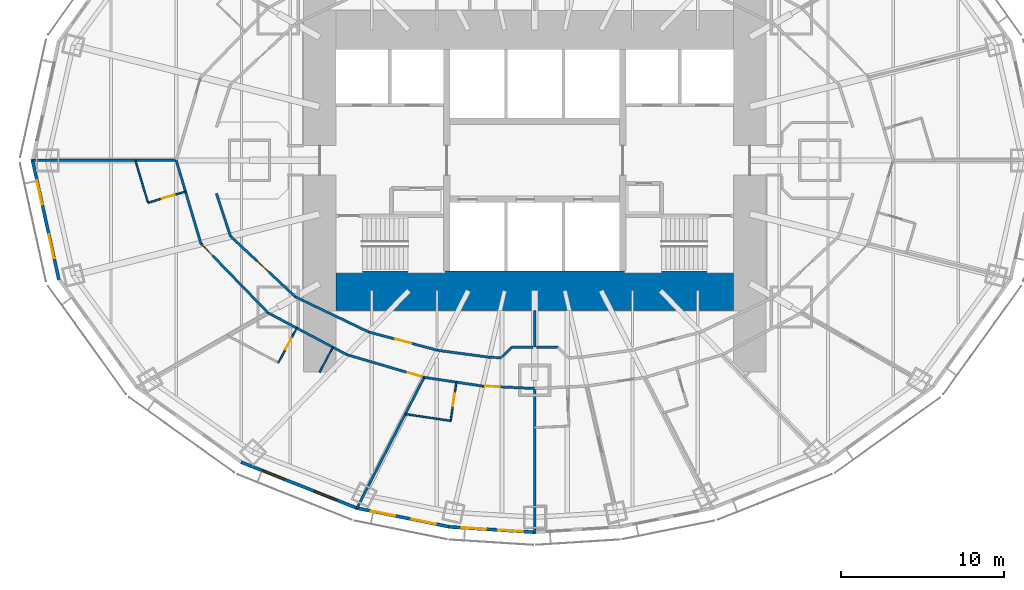
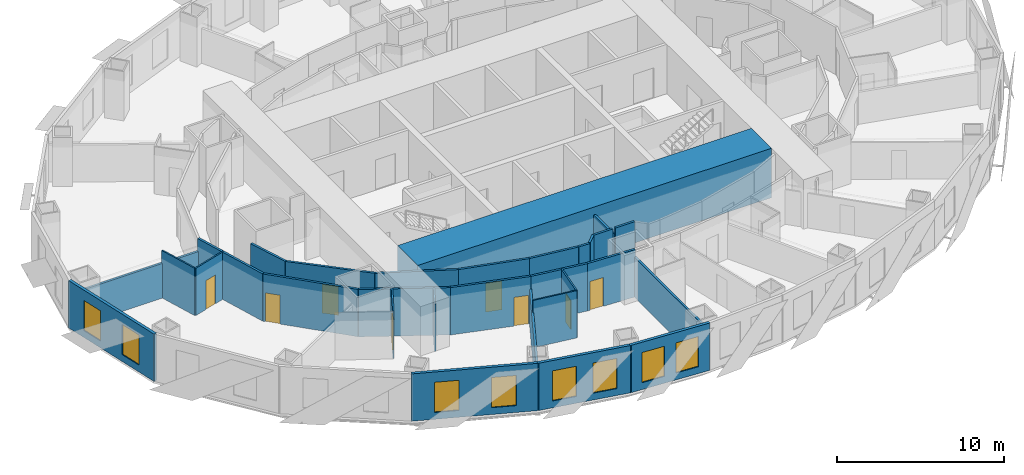
# One storey, part 5 of 15: 30 walls, 8 doors, 8 windows, 16 openings.
"""IFC4 building model written with IfcOpenShell, lengths in metres."""

from ifc_helpers import new_model, si_unit, direction, frame, frame_2d, origin, place, context, subcontext, project, spatial, rectangle, extrude, material, layer, layer_set, type_object, element, fill, save


model = new_model("IFC4")

# Units and contexts
model_context = context("Model", 3, precision=1e-05, world=origin(), true_north=direction((0.0, 1.0)))
body_context = subcontext(model_context, "Body", "Model", "MODEL_VIEW")
ifc_project = project(units=[si_unit("LENGTHUNIT", "METRE"), si_unit("AREAUNIT", "SQUARE_METRE"), si_unit("VOLUMEUNIT", "CUBIC_METRE"), si_unit("PLANEANGLEUNIT", "RADIAN"), si_unit("MASSUNIT", "GRAM", prefix="KILO")], contexts=[model_context])

# Site, building, storey
site_placement = place(None, origin())
site = spatial("IfcSite", under=ifc_project, at=site_placement, CompositionType="ELEMENT")
building_placement = place(site_placement, origin())
building = spatial("IfcBuilding", under=site, at=building_placement, Name="Lantaw Convention Tower", CompositionType="ELEMENT")
storey_placement = place(building_placement, frame((0.0, 0.0, 76.60009765625)))
storey = spatial("IfcBuildingStorey", under=building, at=storey_placement, Name="L17", CompositionType="ELEMENT", Elevation=76.60009765625)

# Wall
ifc_material_1 = material(Name="Gypsum board on steel studs", Category="steel")
ifc_layer_1 = layer(ifc_material_1, 0.14990234375)
ifc_layer_set_1 = layer_set([ifc_layer_1], Name="Back of house wall 150")
wall_type_1 = type_object("IfcWallType", Name="Back of house wall 150", PredefinedType="PARTITIONING", material=ifc_layer_set_1)
wall_1_placement = place(storey_placement, frame((0.0, -9.199951171875, 0.0), z_axis=(0.0, 0.0, 1.0), x_axis=(0.0, -1.0, 0.0)))
element("IfcWall", 1, at=wall_1_placement, inside=storey, type_object=wall_type_1, Name="Back of house wall 150", PredefinedType="PARTITIONING", context=body_context, shape_type="SweptSolid", body=[
    extrude(rectangle(XDim=2.26513671875, YDim=0.14990234375, at=frame_2d((1.132568359375, 0.0))), origin(), (0.0, 0.0, 1.0), 3.04345703125),
])

# Wall, opening, door
ifc_material_2 = material(Name="Moisture resistant gypsum board on steel studs", Category="steel")
ifc_layer_2 = layer(ifc_material_2, 0.10009765625)
ifc_layer_set_2 = layer_set([ifc_layer_2], Name="Bathroom wall 100")
wall_type_2 = type_object("IfcWallType", Name="Bathroom wall 100", PredefinedType="PARTITIONING", material=ifc_layer_set_2)
wall_2_placement = place(storey_placement, frame((-21.430908203125, -1.917236328125, 0.0), z_axis=(0.0, 0.0, 1.0), x_axis=(-0.958639927723, -0.284621659356, 0.0)))
wall_2 = element("IfcWall", 2, at=wall_2_placement, inside=storey, type_object=wall_type_2, Name="Bathroom wall 100", PredefinedType="PARTITIONING", context=body_context, shape_type="SweptSolid", body=[
    extrude(rectangle(XDim=2.400146484375, YDim=0.10009765625, at=frame_2d((1.2001953125, 0.0))), origin(), (0.0, 0.0, 1.0), 3.449951171875),
])
opening_1_placement = place(wall_2_placement, frame((0.699951171875, 0.0, 0.0)))
opening_1 = element("IfcOpeningElement", 3, at=opening_1_placement, cuts=wall_2, Name="Opening L17.41", PredefinedType="OPENING", context=body_context, shape_type="SweptSolid", body=[
    extrude(rectangle(XDim=0.800048828125, YDim=2.10009765625, at=frame_2d((0.39990234375, 1.050048828125))), frame((0.0, 0.06005859375, 0.0), z_axis=(0.0, -1.0, 0.0), x_axis=(1.0, 0.0, 0.0)), (0.0, 0.0, 1.0), 0.1201171875),
])
ifc_material_3 = material(Name="Timber", Category="wood")
door_type_1 = type_object("IfcDoorType", Name="Bathroom door 800", OperationType="SINGLE_SWING_LEFT", PredefinedType="DOOR", material=ifc_material_3)
door_1_placement = place(opening_1_placement, origin())
door_1 = element("IfcDoor", 4, at=door_1_placement, inside=storey, type_object=door_type_1, Name="Bathroom door", OperationType="SINGLE_SWING_LEFT", OverallHeight=2.10009765625, OverallWidth=0.800048828125, PredefinedType="DOOR", context=body_context, shape_type="SweptSolid", body=[
    extrude(rectangle(XDim=0.800048828125, YDim=2.10009765625, at=frame_2d((0.39990234375, 1.050048828125))), frame((0.0, 0.02490234375, 0.0), z_axis=(0.0, -1.0, 0.0), x_axis=(1.0, 0.0, 0.0)), (0.0, 0.0, 1.0), 0.050048828125),
])
fill(opening_1, door_1)

# Wall
wall_3_placement = place(storey_placement, frame((-23.731689453125, -2.600341796875, 0.0), z_axis=(0.0, 0.0, 1.0), x_axis=(-0.284514277473, 0.958671803025, 0.0)))
element("IfcWall", 5, at=wall_3_placement, inside=storey, type_object=wall_type_2, Name="Bathroom wall 100", PredefinedType="PARTITIONING", context=body_context, shape_type="SweptSolid", body=[
    extrude(rectangle(XDim=2.71240234375, YDim=0.10009765625, at=frame_2d((1.356201171875, 0.0))), origin(), (0.0, 0.0, 1.0), 3.449951171875),
])

# Wall, opening, door
wall_4_placement = place(storey_placement, frame((-14.602294921875, -10.291259765625, 0.0), z_axis=(0.0, 0.0, 1.0), x_axis=(-0.468770886208, -0.883319792739, 0.0)))
wall_4 = element("IfcWall", 6, at=wall_4_placement, inside=storey, type_object=wall_type_2, Name="Bathroom wall 100", PredefinedType="PARTITIONING", context=body_context, shape_type="SweptSolid", body=[
    extrude(rectangle(XDim=2.39990234375, YDim=0.10009765625, at=frame_2d((1.199951171875, 0.0))), origin(), (0.0, 0.0, 1.0), 3.449951171875),
])
opening_2_placement = place(wall_4_placement, frame((0.699951171875, 0.0, 0.0)))
opening_2 = element("IfcOpeningElement", 7, at=opening_2_placement, cuts=wall_4, Name="Opening L17.43", PredefinedType="OPENING", context=body_context, shape_type="SweptSolid", body=[
    extrude(rectangle(XDim=0.800048828125, YDim=2.10009765625, at=frame_2d((0.39990234375, 1.050048828125))), frame((0.0, 0.06005859375, 0.0), z_axis=(0.0, -1.0, 0.0), x_axis=(1.0, 0.0, 0.0)), (0.0, 0.0, 1.0), 0.1201171875),
])
door_2_placement = place(opening_2_placement, origin())
door_2 = element("IfcDoor", 8, at=door_2_placement, inside=storey, type_object=door_type_1, Name="Bathroom door", OperationType="SINGLE_SWING_LEFT", OverallHeight=2.10009765625, OverallWidth=0.800048828125, PredefinedType="DOOR", context=body_context, shape_type="SweptSolid", body=[
    extrude(rectangle(XDim=0.800048828125, YDim=2.10009765625, at=frame_2d((0.39990234375, 1.050048828125))), frame((0.0, 0.02490234375, 0.0), z_axis=(0.0, -1.0, 0.0), x_axis=(1.0, 0.0, 0.0)), (0.0, 0.0, 1.0), 0.050048828125),
])
fill(opening_2, door_2)

wall_5_placement = place(storey_placement, frame((-4.807373046875, -13.61181640625, 0.0), z_axis=(0.0, 0.0, 1.0), x_axis=(-0.147201193874, -0.989106570862, 0.0)))
wall_5 = element("IfcWall", 9, at=wall_5_placement, inside=storey, type_object=wall_type_2, Name="Bathroom wall 100", PredefinedType="PARTITIONING", context=body_context, shape_type="SweptSolid", body=[
    extrude(rectangle(XDim=2.39990234375, YDim=0.10009765625, at=frame_2d((1.199951171875, 0.0))), origin(), (0.0, 0.0, 1.0), 3.449951171875),
])
opening_3_placement = place(wall_5_placement, frame((0.699951171875, 0.0, 0.0)))
opening_3 = element("IfcOpeningElement", 10, at=opening_3_placement, cuts=wall_5, Name="Opening L17.45", PredefinedType="OPENING", context=body_context, shape_type="SweptSolid", body=[
    extrude(rectangle(XDim=0.800048828125, YDim=2.10009765625, at=frame_2d((0.39990234375, 1.050048828125))), frame((0.0, 0.06005859375, 0.0), z_axis=(0.0, -1.0, 0.0), x_axis=(1.0, 0.0, 0.0)), (0.0, 0.0, 1.0), 0.1201171875),
])
door_3_placement = place(opening_3_placement, origin())
door_3 = element("IfcDoor", 11, at=door_3_placement, inside=storey, type_object=door_type_1, Name="Bathroom door", OperationType="SINGLE_SWING_LEFT", OverallHeight=2.10009765625, OverallWidth=0.800048828125, PredefinedType="DOOR", context=body_context, shape_type="SweptSolid", body=[
    extrude(rectangle(XDim=0.800048828125, YDim=2.10009765625, at=frame_2d((0.39990234375, 1.050048828125))), frame((0.0, 0.02490234375, 0.0), z_axis=(0.0, -1.0, 0.0), x_axis=(1.0, 0.0, 0.0)), (0.0, 0.0, 1.0), 0.050048828125),
])
fill(opening_3, door_3)

# Walls
wall_6_placement = place(storey_placement, frame((-5.16064453125, -15.985595703125, 0.0), z_axis=(0.0, 0.0, 1.0), x_axis=(-0.98910744157, 0.147195343104, 0.0)))
element("IfcWall", 12, at=wall_6_placement, inside=storey, type_object=wall_type_2, Name="Bathroom wall 100", PredefinedType="PARTITIONING", context=body_context, shape_type="SweptSolid", body=[
    extrude(rectangle(XDim=2.8046875, YDim=0.10009765625, at=frame_2d((1.40234375, 0.0))), origin(), (0.0, 0.0, 1.0), 3.449951171875),
])
ifc_material_4 = material(Name="Concrete C60/75", Category="concrete")
ifc_layer_3 = layer(ifc_material_4, 2.39990234375)
ifc_layer_set_3 = layer_set([ifc_layer_3], Name="Core wall 2400")
wall_type_3 = type_object("IfcWallType", Name="Core wall 2400", PredefinedType="SHEAR", material=ifc_layer_set_3)
wall_7_placement = place(storey_placement, frame((-12.199951171875, -8.0, 0.0), z_axis=(0.0, 0.0, 1.0), x_axis=(1.0, 0.0, 0.0)))
element("IfcWall", 13, at=wall_7_placement, inside=storey, type_object=wall_type_3, Name="Core wall S", PredefinedType="SHEAR", context=body_context, shape_type="SweptSolid", body=[
    extrude(rectangle(XDim=24.39990234375, YDim=2.39990234375, at=frame_2d((12.199951171875, 0.0))), origin(), (0.0, 0.0, 1.0), 3.599853515625),
])
ifc_material_5 = material(Name="Gypsum board on steel studs, fire rated", Category="steel")
ifc_layer_4 = layer(ifc_material_5, 0.14990234375)
ifc_layer_set_4 = layer_set([ifc_layer_4], Name="Corridor wall 150 EI 60")
wall_type_4 = type_object("IfcWallType", Name="Corridor wall 150 EI 60", PredefinedType="PARTITIONING", material=ifc_layer_set_4)
wall_8_placement = place(storey_placement, frame((-22.0, 0.0, 0.0), z_axis=(0.0, 0.0, 1.0), x_axis=(0.284584469409, -0.95865096869, 0.0)))
element("IfcWall", 14, at=wall_8_placement, inside=storey, type_object=wall_type_4, Name="Corridor wall 150", PredefinedType="PARTITIONING", context=body_context, shape_type="SweptSolid", body=[
    extrude(rectangle(XDim=5.327392578125, YDim=0.14990234375, at=frame_2d((2.66357421875, 0.0))), origin(), (0.0, 0.0, 1.0), 3.449951171875),
])

# Wall, opening, door
wall_9_placement = place(storey_placement, frame((-20.48388671875, -5.107177734375, 0.0), z_axis=(0.0, 0.0, 1.0), x_axis=(0.695871090686, -0.71816671125, 0.0)))
wall_9 = element("IfcWall", 15, at=wall_9_placement, inside=storey, type_object=wall_type_4, Name="Corridor wall 150", PredefinedType="PARTITIONING", context=body_context, shape_type="SweptSolid", body=[
    extrude(rectangle(XDim=5.9130859375, YDim=0.14990234375, at=frame_2d((2.95654296875, 0.0))), origin(), (0.0, 0.0, 1.0), 3.449951171875),
])
opening_4_placement = place(wall_9_placement, frame((0.14990234375, 0.0, 0.0)))
opening_4 = element("IfcOpeningElement", 16, at=opening_4_placement, cuts=wall_9, Name="Opening L17.42", PredefinedType="OPENING", context=body_context, shape_type="SweptSolid", body=[
    extrude(rectangle(XDim=0.89990234375, YDim=2.10009765625, at=frame_2d((0.449951171875, 1.050048828125))), frame((0.0, 0.0849609375, 0.0), z_axis=(0.0, -1.0, 0.0), x_axis=(1.0, 0.0, 0.0)), (0.0, 0.0, 1.0), 0.169921875),
])
ifc_material_6 = material(Name="Steel, fire rated", Category="steel")
door_type_2 = type_object("IfcDoorType", Name="Guest room entrance door FD30S", OperationType="SINGLE_SWING_LEFT", PredefinedType="DOOR", material=ifc_material_6)
door_4_placement = place(opening_4_placement, origin())
door_4 = element("IfcDoor", 17, at=door_4_placement, inside=storey, type_object=door_type_2, Name="Junior suite entrance door", OperationType="SINGLE_SWING_LEFT", OverallHeight=2.10009765625, OverallWidth=0.89990234375, PredefinedType="DOOR", context=body_context, shape_type="SweptSolid", body=[
    extrude(rectangle(XDim=0.89990234375, YDim=2.10009765625, at=frame_2d((0.449951171875, 1.050048828125))), frame((0.0, 0.02490234375, 0.0), z_axis=(0.0, -1.0, 0.0), x_axis=(1.0, 0.0, 0.0)), (0.0, 0.0, 1.0), 0.050048828125),
])
fill(opening_4, door_4)

# Wall
wall_10_placement = place(storey_placement, frame((-16.369140625, -9.353759765625, 0.0), z_axis=(0.0, 0.0, 1.0), x_axis=(0.883334368785, -0.468743419071, 0.0)))
element("IfcWall", 18, at=wall_10_placement, inside=storey, type_object=wall_type_4, Name="Corridor wall 150", PredefinedType="PARTITIONING", context=body_context, shape_type="SweptSolid", body=[
    extrude(rectangle(XDim=5.4912109375, YDim=0.14990234375, at=frame_2d((2.74560546875, 0.0))), origin(), (0.0, 0.0, 1.0), 3.449951171875),
])

# Wall, opening, door
wall_11_placement = place(storey_placement, frame((-11.5185546875, -11.927734375, 0.0), z_axis=(0.0, 0.0, 1.0), x_axis=(0.959496227294, -0.281721475589, 0.0)))
wall_11 = element("IfcWall", 19, at=wall_11_placement, inside=storey, type_object=wall_type_4, Name="Corridor wall 150", PredefinedType="PARTITIONING", context=body_context, shape_type="SweptSolid", body=[
    extrude(rectangle(XDim=4.9326171875, YDim=0.14990234375, at=frame_2d((2.46630859375, 0.0))), origin(), (0.0, 0.0, 1.0), 3.449951171875),
])
opening_5_placement = place(wall_11_placement, frame((3.8828125, 0.0, 0.0)))
opening_5 = element("IfcOpeningElement", 20, at=opening_5_placement, cuts=wall_11, Name="Opening L17.44", PredefinedType="OPENING", context=body_context, shape_type="SweptSolid", body=[
    extrude(rectangle(XDim=0.89990234375, YDim=2.10009765625, at=frame_2d((0.449951171875, 1.050048828125))), frame((0.0, 0.0849609375, 0.0), z_axis=(0.0, -1.0, 0.0), x_axis=(1.0, 0.0, 0.0)), (0.0, 0.0, 1.0), 0.169921875),
])
door_5_placement = place(opening_5_placement, origin())
door_5 = element("IfcDoor", 21, at=door_5_placement, inside=storey, type_object=door_type_2, Name="Junior suite entrance door", OperationType="SINGLE_SWING_LEFT", OverallHeight=2.10009765625, OverallWidth=0.89990234375, PredefinedType="DOOR", context=body_context, shape_type="SweptSolid", body=[
    extrude(rectangle(XDim=0.89990234375, YDim=2.10009765625, at=frame_2d((0.449951171875, 1.050048828125))), frame((0.0, 0.02490234375, 0.0), z_axis=(0.0, -1.0, 0.0), x_axis=(1.0, 0.0, 0.0)), (0.0, 0.0, 1.0), 0.050048828125),
])
fill(opening_5, door_5)

# Wall
wall_12_placement = place(storey_placement, frame((-6.78564453125, -13.3173828125, 0.0), z_axis=(0.0, 0.0, 1.0), x_axis=(0.989107488999, -0.14719502439, 0.0)))
element("IfcWall", 22, at=wall_12_placement, inside=storey, type_object=wall_type_4, Name="Corridor wall 150", PredefinedType="PARTITIONING", context=body_context, shape_type="SweptSolid", body=[
    extrude(rectangle(XDim=3.62744140625, YDim=0.14990234375, at=frame_2d((1.813720703125, 0.0))), origin(), (0.0, 0.0, 1.0), 3.449951171875),
])

# Wall, opening, door
wall_13_placement = place(storey_placement, frame((-3.19775390625, -13.851318359375, 0.0), z_axis=(0.0, 0.0, 1.0), x_axis=(0.998920826789, -0.046445471333, 0.0)))
wall_13 = element("IfcWall", 23, at=wall_13_placement, inside=storey, type_object=wall_type_4, Name="Corridor wall 150", PredefinedType="PARTITIONING", context=body_context, shape_type="SweptSolid", body=[
    extrude(rectangle(XDim=3.201171875, YDim=0.14990234375, at=frame_2d((1.6005859375, 0.0))), origin(), (0.0, 0.0, 1.0), 3.449951171875),
])
opening_6_placement = place(wall_13_placement, frame((0.14990234375, 0.0, 0.0)))
opening_6 = element("IfcOpeningElement", 24, at=opening_6_placement, cuts=wall_13, Name="Opening L17.46", PredefinedType="OPENING", context=body_context, shape_type="SweptSolid", body=[
    extrude(rectangle(XDim=0.89990234375, YDim=2.10009765625, at=frame_2d((0.449951171875, 1.050048828125))), frame((0.0, 0.0849609375, 0.0), z_axis=(0.0, -1.0, 0.0), x_axis=(1.0, 0.0, 0.0)), (0.0, 0.0, 1.0), 0.169921875),
])
door_6_placement = place(opening_6_placement, origin())
door_6 = element("IfcDoor", 25, at=door_6_placement, inside=storey, type_object=door_type_2, Name="Junior suite entrance door", OperationType="SINGLE_SWING_LEFT", OverallHeight=2.10009765625, OverallWidth=0.89990234375, PredefinedType="DOOR", context=body_context, shape_type="SweptSolid", body=[
    extrude(rectangle(XDim=0.89990234375, YDim=2.10009765625, at=frame_2d((0.449951171875, 1.050048828125))), frame((0.0, 0.02490234375, 0.0), z_axis=(0.0, -1.0, 0.0), x_axis=(1.0, 0.0, 0.0)), (0.0, 0.0, 1.0), 0.050048828125),
])
fill(opening_6, door_6)

wall_14_placement = place(storey_placement, frame((-18.671630859375, -4.6552734375, 0.0), z_axis=(0.0, 0.0, 1.0), x_axis=(0.731260145007, -0.682098673452, 0.0)))
wall_14 = element("IfcWall", 26, at=wall_14_placement, inside=storey, type_object=wall_type_4, Name="Corridor wall 150", PredefinedType="PARTITIONING", context=body_context, shape_type="SweptSolid", body=[
    extrude(rectangle(XDim=5.4677734375, YDim=0.14990234375, at=frame_2d((2.73388671875, 0.0))), origin(), (0.0, 0.0, 1.0), 3.449951171875),
])
opening_7_placement = place(wall_14_placement, frame((2.23388671875, 0.0, 0.0)))
opening_7 = element("IfcOpeningElement", 27, at=opening_7_placement, cuts=wall_14, Name="Opening L17.23", PredefinedType="OPENING", context=body_context, shape_type="SweptSolid", body=[
    extrude(rectangle(XDim=1.0, YDim=2.10009765625, at=frame_2d((0.5, 1.050048828125))), frame((0.0, 0.0849609375, 0.0), z_axis=(0.0, -1.0, 0.0), x_axis=(1.0, 0.0, 0.0)), (0.0, 0.0, 1.0), 0.169921875),
])
door_type_3 = type_object("IfcDoorType", Name="Service door 1000 FD30", OperationType="SINGLE_SWING_LEFT", PredefinedType="DOOR", material=ifc_material_6)
door_7_placement = place(opening_7_placement, origin())
door_7 = element("IfcDoor", 28, at=door_7_placement, inside=storey, type_object=door_type_3, Name="Staff room door", OperationType="SINGLE_SWING_LEFT", OverallHeight=2.10009765625, OverallWidth=1.0, PredefinedType="DOOR", context=body_context, shape_type="SweptSolid", body=[
    extrude(rectangle(XDim=1.0, YDim=2.10009765625, at=frame_2d((0.5, 1.050048828125))), frame((0.0, 0.02490234375, 0.0), z_axis=(0.0, -1.0, 0.0), x_axis=(1.0, 0.0, 0.0)), (0.0, 0.0, 1.0), 0.050048828125),
])
fill(opening_7, door_7)

# Wall
wall_15_placement = place(storey_placement, frame((-14.67333984375, -8.384765625, 0.0), z_axis=(0.0, 0.0, 1.0), x_axis=(0.901869692799, -0.43200816799, 0.0)))
element("IfcWall", 29, at=wall_15_placement, inside=storey, type_object=wall_type_4, Name="Corridor wall 150", PredefinedType="PARTITIONING", context=body_context, shape_type="SweptSolid", body=[
    extrude(rectangle(XDim=4.985595703125, YDim=0.14990234375, at=frame_2d((2.49267578125, 0.0))), origin(), (0.0, 0.0, 1.0), 3.449951171875),
])

# Wall, opening, door
wall_16_placement = place(storey_placement, frame((-10.177001953125, -10.53857421875, 0.0), z_axis=(0.0, 0.0, 1.0), x_axis=(0.966672790407, -0.256015070428, 0.0)))
wall_16 = element("IfcWall", 30, at=wall_16_placement, inside=storey, type_object=wall_type_4, Name="Corridor wall 150", PredefinedType="PARTITIONING", context=body_context, shape_type="SweptSolid", body=[
    extrude(rectangle(XDim=4.3818359375, YDim=0.14990234375, at=frame_2d((2.19091796875, 0.0))), origin(), (0.0, 0.0, 1.0), 3.449951171875),
])
opening_8_placement = place(wall_16_placement, frame((1.69091796875, 0.0, 0.0)))
opening_8 = element("IfcOpeningElement", 31, at=opening_8_placement, cuts=wall_16, Name="Opening L17.24", PredefinedType="OPENING", context=body_context, shape_type="SweptSolid", body=[
    extrude(rectangle(XDim=1.0, YDim=2.10009765625, at=frame_2d((0.5, 1.050048828125))), frame((0.0, 0.0849609375, 0.0), z_axis=(0.0, -1.0, 0.0), x_axis=(1.0, 0.0, 0.0)), (0.0, 0.0, 1.0), 0.169921875),
])
door_8_placement = place(opening_8_placement, origin())
door_8 = element("IfcDoor", 32, at=door_8_placement, inside=storey, type_object=door_type_3, Name="Staff room door", OperationType="SINGLE_SWING_LEFT", OverallHeight=2.10009765625, OverallWidth=1.0, PredefinedType="DOOR", context=body_context, shape_type="SweptSolid", body=[
    extrude(rectangle(XDim=1.0, YDim=2.10009765625, at=frame_2d((0.5, 1.050048828125))), frame((0.0, 0.02490234375, 0.0), z_axis=(0.0, -1.0, 0.0), x_axis=(1.0, 0.0, 0.0)), (0.0, 0.0, 1.0), 0.050048828125),
])
fill(opening_8, door_8)

# Walls
wall_17_placement = place(storey_placement, frame((-5.941162109375, -11.660400390625, 0.0), z_axis=(0.0, 0.0, 1.0), x_axis=(0.991129053928, -0.13290296633, 0.0)))
element("IfcWall", 33, at=wall_17_placement, inside=storey, type_object=wall_type_4, Name="Corridor wall 150", PredefinedType="PARTITIONING", context=body_context, shape_type="SweptSolid", body=[
    extrude(rectangle(XDim=3.179931640625, YDim=0.14990234375, at=frame_2d((1.58984375, 0.0))), origin(), (0.0, 0.0, 1.0), 3.449951171875),
])
wall_18_placement = place(storey_placement, frame((-19.533447265625, -2.0302734375, 0.0), z_axis=(0.0, 0.0, 1.0), x_axis=(0.311929965981, -0.950105097515, 0.0)))
element("IfcWall", 34, at=wall_18_placement, inside=storey, type_object=wall_type_4, Name="Corridor wall 150", PredefinedType="PARTITIONING", context=body_context, shape_type="SweptSolid", body=[
    extrude(rectangle(XDim=2.762939453125, YDim=0.14990234375, at=frame_2d((1.38134765625, 0.0))), origin(), (0.0, 0.0, 1.0), 3.449951171875),
])
wall_19_placement = place(storey_placement, frame((-2.78955078125, -12.0830078125, 0.0), z_axis=(0.0, 0.0, 1.0), x_axis=(0.999116751279, -0.042020439232, 0.0)))
element("IfcWall", 35, at=wall_19_placement, inside=storey, type_object=wall_type_4, Name="Corridor wall 150", PredefinedType="PARTITIONING", context=body_context, shape_type="SweptSolid", body=[
    extrude(rectangle(XDim=0.75537109375, YDim=0.14990234375, at=frame_2d((0.377685546875, 0.0))), origin(), (0.0, 0.0, 1.0), 3.449951171875),
])
wall_20_placement = place(storey_placement, frame((-2.00244140625, -12.052734375, 0.0), z_axis=(0.0, 0.0, 1.0), x_axis=(0.707256164678, 0.706957366129, 0.0)))
element("IfcWall", 36, at=wall_20_placement, inside=storey, type_object=wall_type_4, Name="Corridor wall 150", PredefinedType="PARTITIONING", context=body_context, shape_type="SweptSolid", body=[
    extrude(rectangle(XDim=0.817138671875, YDim=0.14990234375, at=frame_2d((0.40869140625, 0.0))), origin(), (0.0, 0.0, 1.0), 3.449951171875),
])
for number, where, z_axis, x_axis, name in (
    (37, (-1.424560546875, -11.47509765625, 0.0), (0.0, 0.0, 1.0), (1.0, 0.0, 0.0), "Corridor wall 150"),
    (38, (0.103271484375, -11.47509765625, 0.0), (0.0, 0.0, 1.0), (1.0, 0.0, 0.0), "Corridor wall 150"),
):
    element("IfcWall", number, at=place(storey_placement, frame(where, z_axis=z_axis, x_axis=x_axis)), inside=storey, type_object=wall_type_4, Name=name, PredefinedType="PARTITIONING", context=body_context, shape_type="SweptSolid", body=[
        extrude(rectangle(XDim=1.3212890625, YDim=0.14990234375, at=frame_2d((0.66064453125, 0.0))), origin(), (0.0, 0.0, 1.0), 3.449951171875),
    ])

# Wall, openings, windows
ifc_material_7 = material(Name="Insulated aluminium panel on steel frame", Category="steel")
ifc_layer_5 = layer(ifc_material_7, 0.199951171875)
ifc_layer_set_5 = layer_set([ifc_layer_5], Name="External wall 200")
wall_type_5 = type_object("IfcWallType", Name="External wall 200", PredefinedType="SOLIDWALL", material=ifc_layer_set_5)
wall_21_placement = place(storey_placement, frame((-30.83544921875, 0.06689453125, 0.0), z_axis=(0.0, 0.0, 1.0), x_axis=(0.215238065514, -0.976561608478, 0.0)))
wall_21 = element("IfcWall", 39, at=wall_21_placement, inside=storey, type_object=wall_type_5, Name="Facade panel wall", PredefinedType="SOLIDWALL", context=body_context, shape_type="SweptSolid", body=[
    extrude(rectangle(XDim=7.562255859375, YDim=0.199951171875, at=frame_2d((3.78125, 0.0))), origin(), (0.0, 0.0, 1.0), 3.449951171875),
])
opening_9_placement = place(wall_21_placement, frame((1.340576171875, 0.0, 0.5)))
opening_9 = element("IfcOpeningElement", 40, at=opening_9_placement, cuts=wall_21, Name="Opening W2", PredefinedType="OPENING", context=body_context, shape_type="SweptSolid", body=[
    extrude(rectangle(XDim=1.5, YDim=2.199951171875, at=frame_2d((0.75, 1.10009765625))), frame((0.0, 0.10986328125, 0.0), z_axis=(0.0, -1.0, 0.0), x_axis=(1.0, 0.0, 0.0)), (0.0, 0.0, 1.0), 0.219970703125),
])
opening_10_placement = place(wall_21_placement, frame((4.7216796875, 0.0, 0.5)))
opening_10 = element("IfcOpeningElement", 41, at=opening_10_placement, cuts=wall_21, Name="Opening W2", PredefinedType="OPENING", context=body_context, shape_type="SweptSolid", body=[
    extrude(rectangle(XDim=1.5, YDim=2.199951171875, at=frame_2d((0.75, 1.10009765625))), frame((0.0, 0.10986328125, 0.0), z_axis=(0.0, -1.0, 0.0), x_axis=(1.0, 0.0, 0.0)), (0.0, 0.0, 1.0), 0.219970703125),
])
ifc_material_8 = material(Name="Aluminium frame, clear insulating glass", Category="aluminium")
window_type = type_object("IfcWindowType", Name="Suite window 1500x2200", PartitioningType="SINGLE_PANEL", PredefinedType="WINDOW", material=ifc_material_8)
window_1_placement = place(opening_9_placement, origin())
window_1 = element("IfcWindow", 42, at=window_1_placement, inside=storey, type_object=window_type, Name="Guest room window", OverallHeight=2.199951171875, OverallWidth=1.5, PartitioningType="SINGLE_PANEL", PredefinedType="WINDOW", context=body_context, shape_type="SweptSolid", body=[
    extrude(rectangle(XDim=1.5, YDim=2.199951171875, at=frame_2d((0.75, 1.10009765625))), frame((0.0, 0.030029296875, 0.0), z_axis=(0.0, -1.0, 0.0), x_axis=(1.0, 0.0, 0.0)), (0.0, 0.0, 1.0), 0.06005859375),
])
fill(opening_9, window_1)
window_2_placement = place(opening_10_placement, origin())
window_2 = element("IfcWindow", 43, at=window_2_placement, inside=storey, type_object=window_type, Name="Guest room window", OverallHeight=2.199951171875, OverallWidth=1.5, PartitioningType="SINGLE_PANEL", PredefinedType="WINDOW", context=body_context, shape_type="SweptSolid", body=[
    extrude(rectangle(XDim=1.5, YDim=2.199951171875, at=frame_2d((0.75, 1.10009765625))), frame((0.0, 0.030029296875, 0.0), z_axis=(0.0, -1.0, 0.0), x_axis=(1.0, 0.0, 0.0)), (0.0, 0.0, 1.0), 0.06005859375),
])
fill(opening_10, window_2)

wall_22_placement = place(storey_placement, frame((-18.018310546875, -18.522705078125, 0.0), z_axis=(0.0, 0.0, 1.0), x_axis=(0.929358351251, -0.369178892895, 0.0)))
wall_22 = element("IfcWall", 44, at=wall_22_placement, inside=storey, type_object=wall_type_5, Name="Facade panel wall", PredefinedType="SOLIDWALL", context=body_context, shape_type="SweptSolid", body=[
    extrude(rectangle(XDim=7.6923828125, YDim=0.199951171875, at=frame_2d((3.84619140625, 0.0))), origin(), (0.0, 0.0, 1.0), 3.449951171875),
])
opening_11_placement = place(wall_22_placement, frame((1.373046875, 0.0, 0.5)))
opening_11 = element("IfcOpeningElement", 45, at=opening_11_placement, cuts=wall_22, Name="Opening W2", PredefinedType="OPENING", context=body_context, shape_type="SweptSolid", body=[
    extrude(rectangle(XDim=1.5, YDim=2.199951171875, at=frame_2d((0.75, 1.10009765625))), frame((0.0, 0.10986328125, 0.0), z_axis=(0.0, -1.0, 0.0), x_axis=(1.0, 0.0, 0.0)), (0.0, 0.0, 1.0), 0.219970703125),
])
opening_12_placement = place(wall_22_placement, frame((4.819091796875, 0.0, 0.5)))
opening_12 = element("IfcOpeningElement", 46, at=opening_12_placement, cuts=wall_22, Name="Opening W2", PredefinedType="OPENING", context=body_context, shape_type="SweptSolid", body=[
    extrude(rectangle(XDim=1.5, YDim=2.199951171875, at=frame_2d((0.75, 1.10009765625))), frame((0.0, 0.10986328125, 0.0), z_axis=(0.0, -1.0, 0.0), x_axis=(1.0, 0.0, 0.0)), (0.0, 0.0, 1.0), 0.219970703125),
])
window_3_placement = place(opening_11_placement, origin())
window_3 = element("IfcWindow", 47, at=window_3_placement, inside=storey, type_object=window_type, Name="Guest room window", OverallHeight=2.199951171875, OverallWidth=1.5, PartitioningType="SINGLE_PANEL", PredefinedType="WINDOW", context=body_context, shape_type="SweptSolid", body=[
    extrude(rectangle(XDim=1.5, YDim=2.199951171875, at=frame_2d((0.75, 1.10009765625))), frame((0.0, 0.030029296875, 0.0), z_axis=(0.0, -1.0, 0.0), x_axis=(1.0, 0.0, 0.0)), (0.0, 0.0, 1.0), 0.06005859375),
])
fill(opening_11, window_3)
window_4_placement = place(opening_12_placement, origin())
window_4 = element("IfcWindow", 48, at=window_4_placement, inside=storey, type_object=window_type, Name="Guest room window", OverallHeight=2.199951171875, OverallWidth=1.5, PartitioningType="SINGLE_PANEL", PredefinedType="WINDOW", context=body_context, shape_type="SweptSolid", body=[
    extrude(rectangle(XDim=1.5, YDim=2.199951171875, at=frame_2d((0.75, 1.10009765625))), frame((0.0, 0.030029296875, 0.0), z_axis=(0.0, -1.0, 0.0), x_axis=(1.0, 0.0, 0.0)), (0.0, 0.0, 1.0), 0.06005859375),
])
fill(opening_12, window_4)

wall_23_placement = place(storey_placement, frame((-10.956787109375, -21.336669921875, 0.0), z_axis=(0.0, 0.0, 1.0), x_axis=(0.980251657452, -0.197754110105, 0.0)))
wall_23 = element("IfcWall", 49, at=wall_23_placement, inside=storey, type_object=wall_type_5, Name="Facade panel wall", PredefinedType="SOLIDWALL", context=body_context, shape_type="SweptSolid", body=[
    extrude(rectangle(XDim=5.90380859375, YDim=0.199951171875, at=frame_2d((2.951904296875, 0.0))), origin(), (0.0, 0.0, 1.0), 3.449951171875),
])
opening_13_placement = place(wall_23_placement, frame((0.92578125, 0.0, 0.5)))
opening_13 = element("IfcOpeningElement", 50, at=opening_13_placement, cuts=wall_23, Name="Opening W2", PredefinedType="OPENING", context=body_context, shape_type="SweptSolid", body=[
    extrude(rectangle(XDim=1.5, YDim=2.199951171875, at=frame_2d((0.75, 1.10009765625))), frame((0.0, 0.10986328125, 0.0), z_axis=(0.0, -1.0, 0.0), x_axis=(1.0, 0.0, 0.0)), (0.0, 0.0, 1.0), 0.219970703125),
])
opening_14_placement = place(wall_23_placement, frame((3.477783203125, 0.0, 0.5)))
opening_14 = element("IfcOpeningElement", 51, at=opening_14_placement, cuts=wall_23, Name="Opening W2", PredefinedType="OPENING", context=body_context, shape_type="SweptSolid", body=[
    extrude(rectangle(XDim=1.5, YDim=2.199951171875, at=frame_2d((0.75, 1.10009765625))), frame((0.0, 0.10986328125, 0.0), z_axis=(0.0, -1.0, 0.0), x_axis=(1.0, 0.0, 0.0)), (0.0, 0.0, 1.0), 0.219970703125),
])
window_5_placement = place(opening_13_placement, origin())
window_5 = element("IfcWindow", 52, at=window_5_placement, inside=storey, type_object=window_type, Name="Guest room window", OverallHeight=2.199951171875, OverallWidth=1.5, PartitioningType="SINGLE_PANEL", PredefinedType="WINDOW", context=body_context, shape_type="SweptSolid", body=[
    extrude(rectangle(XDim=1.5, YDim=2.199951171875, at=frame_2d((0.75, 1.10009765625))), frame((0.0, 0.030029296875, 0.0), z_axis=(0.0, -1.0, 0.0), x_axis=(1.0, 0.0, 0.0)), (0.0, 0.0, 1.0), 0.06005859375),
])
fill(opening_13, window_5)
window_6_placement = place(opening_14_placement, origin())
window_6 = element("IfcWindow", 53, at=window_6_placement, inside=storey, type_object=window_type, Name="Guest room window", OverallHeight=2.199951171875, OverallWidth=1.5, PartitioningType="SINGLE_PANEL", PredefinedType="WINDOW", context=body_context, shape_type="SweptSolid", body=[
    extrude(rectangle(XDim=1.5, YDim=2.199951171875, at=frame_2d((0.75, 1.10009765625))), frame((0.0, 0.030029296875, 0.0), z_axis=(0.0, -1.0, 0.0), x_axis=(1.0, 0.0, 0.0)), (0.0, 0.0, 1.0), 0.06005859375),
])
fill(opening_14, window_6)

wall_24_placement = place(storey_placement, frame((-5.252685546875, -22.493408203125, 0.0), z_axis=(0.0, 0.0, 1.0), x_axis=(0.998018582375, -0.062919863585, 0.0)))
wall_24 = element("IfcWall", 54, at=wall_24_placement, inside=storey, type_object=wall_type_5, Name="Facade panel wall", PredefinedType="SOLIDWALL", context=body_context, shape_type="SweptSolid", body=[
    extrude(rectangle(XDim=5.30419921875, YDim=0.199951171875, at=frame_2d((2.652099609375, 0.0))), origin(), (0.0, 0.0, 1.0), 3.449951171875),
])
opening_15_placement = place(wall_24_placement, frame((0.77587890625, 0.0, 0.5)))
opening_15 = element("IfcOpeningElement", 55, at=opening_15_placement, cuts=wall_24, Name="Opening W2", PredefinedType="OPENING", context=body_context, shape_type="SweptSolid", body=[
    extrude(rectangle(XDim=1.5, YDim=2.199951171875, at=frame_2d((0.75, 1.10009765625))), frame((0.0, 0.10986328125, 0.0), z_axis=(0.0, -1.0, 0.0), x_axis=(1.0, 0.0, 0.0)), (0.0, 0.0, 1.0), 0.219970703125),
])
opening_16_placement = place(wall_24_placement, frame((3.028076171875, 0.0, 0.5)))
opening_16 = element("IfcOpeningElement", 56, at=opening_16_placement, cuts=wall_24, Name="Opening W2", PredefinedType="OPENING", context=body_context, shape_type="SweptSolid", body=[
    extrude(rectangle(XDim=1.5, YDim=2.199951171875, at=frame_2d((0.75, 1.10009765625))), frame((0.0, 0.10986328125, 0.0), z_axis=(0.0, -1.0, 0.0), x_axis=(1.0, 0.0, 0.0)), (0.0, 0.0, 1.0), 0.219970703125),
])
window_7_placement = place(opening_15_placement, origin())
window_7 = element("IfcWindow", 57, at=window_7_placement, inside=storey, type_object=window_type, Name="Guest room window", OverallHeight=2.199951171875, OverallWidth=1.5, PartitioningType="SINGLE_PANEL", PredefinedType="WINDOW", context=body_context, shape_type="SweptSolid", body=[
    extrude(rectangle(XDim=1.5, YDim=2.199951171875, at=frame_2d((0.75, 1.10009765625))), frame((0.0, 0.030029296875, 0.0), z_axis=(0.0, -1.0, 0.0), x_axis=(1.0, 0.0, 0.0)), (0.0, 0.0, 1.0), 0.06005859375),
])
fill(opening_15, window_7)
window_8_placement = place(opening_16_placement, origin())
window_8 = element("IfcWindow", 58, at=window_8_placement, inside=storey, type_object=window_type, Name="Guest room window", OverallHeight=2.199951171875, OverallWidth=1.5, PartitioningType="SINGLE_PANEL", PredefinedType="WINDOW", context=body_context, shape_type="SweptSolid", body=[
    extrude(rectangle(XDim=1.5, YDim=2.199951171875, at=frame_2d((0.75, 1.10009765625))), frame((0.0, 0.030029296875, 0.0), z_axis=(0.0, -1.0, 0.0), x_axis=(1.0, 0.0, 0.0)), (0.0, 0.0, 1.0), 0.06005859375),
])
fill(opening_16, window_8)

# Walls
ifc_material_9 = material(Name="Gypsum board on steel studs, acoustic", Category="steel")
ifc_layer_6 = layer(ifc_material_9, 0.14990234375)
ifc_layer_set_6 = layer_set([ifc_layer_6], Name="Guest room party wall 150")
wall_type_6 = type_object("IfcWallType", Name="Guest room party wall 150", PredefinedType="PARTITIONING", material=ifc_layer_set_6)
wall_25_placement = place(storey_placement, frame((-30.82080078125, 0.0, 0.0), z_axis=(0.0, 0.0, 1.0), x_axis=(1.0, 0.0, 0.0)))
element("IfcWall", 59, at=wall_25_placement, inside=storey, type_object=wall_type_6, Name="Guest room party wall 150", PredefinedType="PARTITIONING", context=body_context, shape_type="SweptSolid", body=[
    extrude(rectangle(XDim=8.82080078125, YDim=0.14990234375, at=frame_2d((4.410400390625, 0.0))), origin(), (0.0, 0.0, 1.0), 2.52783203125),
])
wall_26_placement = place(storey_placement, frame((-10.911865234375, -21.345703125, 0.0), z_axis=(0.0, 0.0, 1.0), x_axis=(0.457117602022, 0.889406261458, 0.0)))
element("IfcWall", 60, at=wall_26_placement, inside=storey, type_object=wall_type_6, Name="Guest room party wall 150", PredefinedType="PARTITIONING", context=body_context, shape_type="SweptSolid", body=[
    extrude(rectangle(XDim=9.026611328125, YDim=0.14990234375, at=frame_2d((4.51318359375, 0.0))), origin(), (0.0, 0.0, 1.0), 2.52783203125),
])
wall_27_placement = place(storey_placement, frame((0.0, -22.82470703125, 0.0), z_axis=(0.0, 0.0, 1.0), x_axis=(0.0, 1.0, 0.0)))
element("IfcWall", 61, at=wall_27_placement, inside=storey, type_object=wall_type_6, Name="Guest room party wall 150", PredefinedType="PARTITIONING", context=body_context, shape_type="SweptSolid", body=[
    extrude(rectangle(XDim=8.82470703125, YDim=0.14990234375, at=frame_2d((4.412353515625, 0.0))), origin(), (0.0, 0.0, 1.0), 2.924072265625),
])
ifc_layer_7 = layer(ifc_material_9, 0.10009765625)
ifc_layer_set_7 = layer_set([ifc_layer_7], Name="Office partition 100")
wall_type_7 = type_object("IfcWallType", Name="Office partition 100", PredefinedType="PARTITIONING", material=ifc_layer_set_7)
wall_28_placement = place(storey_placement, frame((-13.199951171875, -13.0, 0.0), z_axis=(0.0, 0.0, 1.0), x_axis=(0.46874717052, 0.88333237806, 0.0)))
element("IfcWall", 62, at=wall_28_placement, inside=storey, type_object=wall_type_7, Name="Office partition 100", PredefinedType="PARTITIONING", context=body_context, shape_type="SweptSolid", body=[
    extrude(rectangle(XDim=1.7353515625, YDim=0.10009765625, at=frame_2d((0.86767578125, 0.0))), origin(), (0.0, 0.0, 1.0), 3.449951171875),
])

save(model, "model.ifc")
